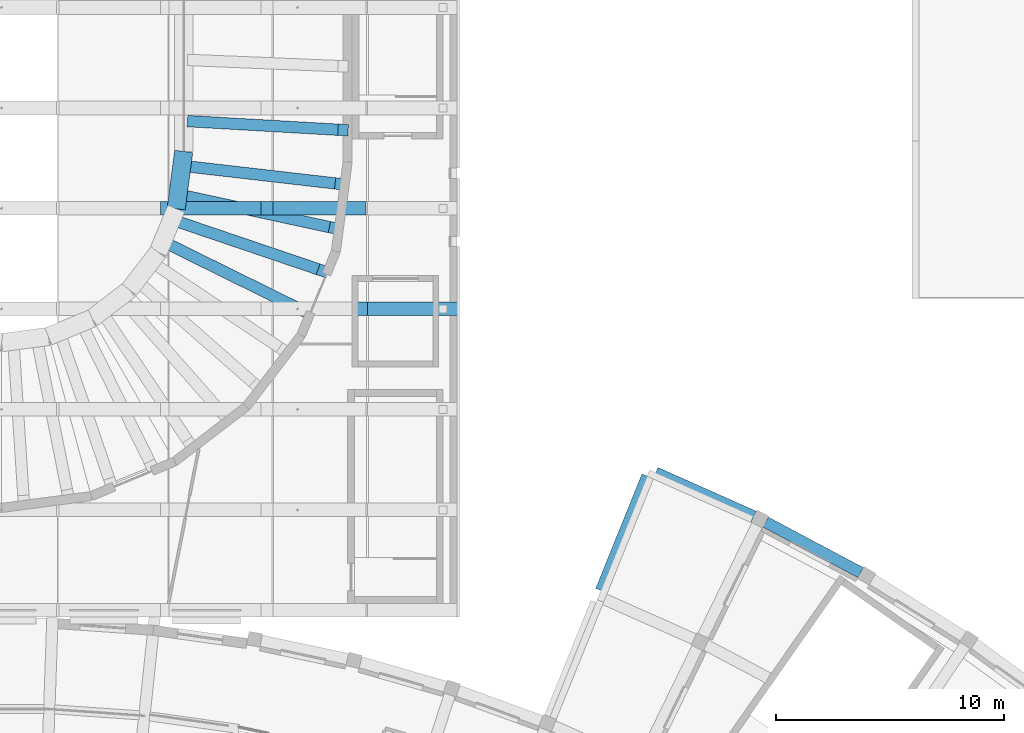
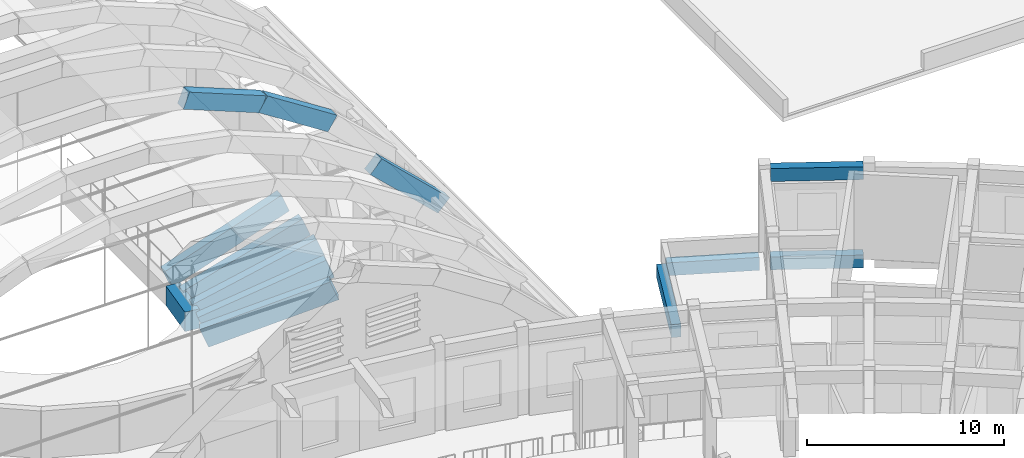
# One storey, part 40 of 94: 13 beams.
"""IFC4 building model written with IfcOpenShell, lengths in metres."""

from ifc_helpers import new_model, si_unit, direction, frame, origin, origin_2d, place, context, subcontext, project, spatial, rectangle, extrude, material, material_profile, profile_set, type_object, element, save


model = new_model("IFC4")

# Units and contexts
model_context = context("Model", 3, precision=1e-05, world=origin(), true_north=direction((0.0, 1.0)))
body_context = subcontext(model_context, "Body", "Model", "MODEL_VIEW")
ifc_project = project(units=[si_unit("LENGTHUNIT", "METRE"), si_unit("AREAUNIT", "SQUARE_METRE"), si_unit("VOLUMEUNIT", "CUBIC_METRE"), si_unit("PLANEANGLEUNIT", "RADIAN"), si_unit("MASSUNIT", "GRAM", prefix="KILO")], contexts=[model_context])

# Site, building, storey
site_placement = place(None, origin())
site = spatial("IfcSite", under=ifc_project, at=site_placement, CompositionType="ELEMENT")
building_placement = place(site_placement, origin())
building = spatial("IfcBuilding", under=site, at=building_placement, Name="Lunette Opera House", CompositionType="ELEMENT")
storey_placement = place(building_placement, frame((0.0, 0.0, 22.5)))
storey = spatial("IfcBuildingStorey", under=building, at=storey_placement, Name="L04", CompositionType="ELEMENT", Elevation=22.5)

# Beams
ifc_material_1 = material(Name="Concrete C40/50", Category="concrete")
ifc_material_profile_1 = material_profile(ifc_material_1, rectangle(XDim=0.60009765625, YDim=1.0, at=origin_2d()), Name="ARCH BEAM 600X1000")
ifc_profile_set_1 = profile_set([ifc_material_profile_1], Name="Concrete C40/50")
beam_type_1 = type_object("IfcBeamType", Name="ARCH BEAM 600X1000", PredefinedType="BEAM", material=ifc_profile_set_1)
beam_1_placement = place(storey_placement, frame((111.72998046875, 77.54296875, 5.931884765625), z_axis=(0.723596948656, 0.0, -0.69022275817), x_axis=(0.0, 1.0, 0.0)))
element("IfcBeam", 1, at=beam_1_placement, inside=storey, type_object=beam_type_1, Name="beam-AU-L04-EA4-9", PredefinedType="BEAM", context=body_context, shape_type="SweptSolid", body=[
    extrude(rectangle(XDim=0.60009765625, YDim=1.0, at=origin_2d()), origin(), (0.0, 0.0, 1.0), 5.486328125),
])
beam_2_placement = place(storey_placement, frame((103.1689453125, 81.95703125, 10.346923828125), z_axis=(0.92830257193, 0.0, -0.371825678172), x_axis=(0.0, 1.0, 0.0)))
element("IfcBeam", 2, at=beam_2_placement, inside=storey, type_object=beam_type_1, Name="beam-AU-L04-EA5-7", PredefinedType="BEAM", context=body_context, shape_type="SweptSolid", body=[
    extrude(rectangle(XDim=0.60009765625, YDim=1.0, at=origin_2d()), origin(), (0.0, 0.0, 1.0), 4.837890625),
])
beam_3_placement = place(storey_placement, frame((107.659912109375, 81.95703125, 8.548095703125), z_axis=(0.84120306647, 0.0, -0.54071933659), x_axis=(0.0, 1.0, 0.0)))
element("IfcBeam", 3, at=beam_3_placement, inside=storey, type_object=beam_type_1, Name="beam-AU-L04-EA5-8", PredefinedType="BEAM", context=body_context, shape_type="SweptSolid", body=[
    extrude(rectangle(XDim=0.60009765625, YDim=1.0, at=origin_2d()), origin(), (0.0, 0.0, 1.0), 4.83837890625),
])
ifc_material_2 = material(Name="Concrete C35/45", Category="concrete")
ifc_material_profile_2 = material_profile(ifc_material_2, rectangle(XDim=0.5, YDim=1.199951171875, at=origin_2d()), Name="RAKER BEAM 500X1200")
ifc_profile_set_2 = profile_set([ifc_material_profile_2], Name="Concrete C35/45")
beam_type_2 = type_object("IfcBeamType", Name="RAKER BEAM 500X1200", PredefinedType="BEAM", material=ifc_profile_set_2)
for number, where, z_axis, x_axis, name in (
    (4, (109.364990234375, 77.404052734375, -0.845947265625), (-0.832863737537, 0.411024107178, -0.370671253289), (-0.44254950299, -0.896744075756, 0.0), "beam-AU-L04-RKT3-12-1"),
    (5, (110.114013671875, 79.212890625, -0.845947265625), (-0.879541429095, 0.298348612243, -0.37066828847), (-0.32123143034, -0.947000722366, 0.0), "beam-AU-L04-RKT3-12-2"),
):
    element("IfcBeam", number, at=place(storey_placement, frame(where, z_axis=z_axis, x_axis=x_axis)), inside=storey, type_object=beam_type_2, Name=name, PredefinedType="BEAM", context=body_context, shape_type="SweptSolid", body=[
        extrude(rectangle(XDim=0.5, YDim=1.199951171875, at=origin_2d()), origin(), (0.0, 0.0, 1.0), 7.133056640625),
    ])
beam_4_placement = place(storey_placement, frame((110.616943359375, 81.087890625, -0.845947265625), z_axis=(-0.907922424273, 0.196469243629, -0.370238717331), x_axis=(-0.211499077451, -0.977378197136, 0.0)))
element("IfcBeam", 6, at=beam_4_placement, inside=storey, type_object=beam_type_2, Name="beam-AU-L04-RKT3-13-1", PredefinedType="BEAM", context=body_context, shape_type="SweptSolid", body=[
    extrude(rectangle(XDim=0.5, YDim=1.199951171875, at=origin_2d()), origin(), (0.0, 0.0, 1.0), 7.141357421875),
])
beam_5_placement = place(storey_placement, frame((110.8720703125, 83.029052734375, -0.845947265625), z_axis=(-0.922381193979, 0.106300669219, -0.371366531499), x_axis=(-0.114488133719, -0.99342461578, 0.0)))
element("IfcBeam", 7, at=beam_5_placement, inside=storey, type_object=beam_type_2, Name="beam-AU-L04-RKT3-13-2", PredefinedType="BEAM", context=body_context, shape_type="SweptSolid", body=[
    extrude(rectangle(XDim=0.5, YDim=1.199951171875, at=origin_2d()), origin(), (0.0, 0.0, 1.0), 7.119873046875),
])
beam_6_placement = place(storey_placement, frame((111.0, 85.39990234375, -0.845947265625), z_axis=(-0.927182002301, 0.053174550374, -0.370818017095), x_axis=(-0.057256630356, -0.998359493509, 0.0)))
element("IfcBeam", 8, at=beam_6_placement, inside=storey, type_object=beam_type_2, Name="beam-AU-L04-RKT3-14-1", PredefinedType="BEAM", context=body_context, shape_type="SweptSolid", body=[
    extrude(rectangle(XDim=0.5, YDim=1.199951171875, at=origin_2d()), origin(), (0.0, 0.0, 1.0), 7.13037109375),
])
ifc_material_3 = material(Name="Concrete C35/45", Category="concrete")
ifc_material_profile_3 = material_profile(ifc_material_3, rectangle(XDim=0.5, YDim=0.800048828125, at=origin_2d()), Name="RC BEAM 500X800")
ifc_profile_set_3 = profile_set([ifc_material_profile_3], Name="Concrete C35/45")
beam_type_3 = type_object("IfcBeamType", Name="RC BEAM 500X800", PredefinedType="BEAM", material=ifc_profile_set_3)
beam_7_placement = place(storey_placement, frame((122.3310546875, 65.172119140625, -0.6201171875), z_axis=(0.374580732086, 0.927194302803, 0.0), x_axis=(-0.927194302803, 0.374580732086, 0.0)))
element("IfcBeam", 9, at=beam_7_placement, inside=storey, type_object=beam_type_3, Name="beam-FC-L04-L04-RB-RL-19-4", PredefinedType="BEAM", context=body_context, shape_type="SweptSolid", body=[
    extrude(rectangle(XDim=0.5, YDim=0.800048828125, at=origin_2d()), origin(), (0.0, 0.0, 1.0), 5.41943359375),
])
beam_8_placement = place(storey_placement, frame((124.735107421875, 70.347900390625, -0.6201171875), z_axis=(0.91352150634, -0.40679043432, 0.0), x_axis=(0.40679043432, 0.91352150634, 0.0)))
element("IfcBeam", 10, at=beam_8_placement, inside=storey, type_object=beam_type_3, Name="beam-FC-L04-L04-RG-AR-C-RL-19", PredefinedType="BEAM", context=body_context, shape_type="SweptSolid", body=[
    extrude(rectangle(XDim=0.5, YDim=0.800048828125, at=origin_2d()), origin(), (0.0, 0.0, 1.0), 4.724365234375),
])
for number, where, z_axis, x_axis, name in (
    (11, (129.572021484375, 68.172119140625, -0.6201171875), (0.882965814701, -0.46943729088, 0.0), (0.46943729088, 0.882965814701, 0.0), "beam-FC-L04-L04-RG-AR-C-RL-20"),
    (12, (129.572021484375, 68.172119140625, 4.85009765625), (0.882965814701, -0.46943729088, 0.0), (0.46943729088, 0.882965814701, 0.0), "beam-FC-L04-RF-RG-AR-C-RL-20"),
):
    element("IfcBeam", number, at=place(storey_placement, frame(where, z_axis=z_axis, x_axis=x_axis)), inside=storey, type_object=beam_type_3, Name=name, PredefinedType="BEAM", context=body_context, shape_type="SweptSolid", body=[
        extrude(rectangle(XDim=0.5, YDim=0.800048828125, at=origin_2d()), origin(), (0.0, 0.0, 1.0), 4.724853515625),
    ])
ifc_material_4 = material(Name="Concrete C40/50", Category="concrete")
ifc_material_profile_4 = material_profile(ifc_material_4, rectangle(XDim=0.800048828125, YDim=1.199951171875, at=origin_2d()), Name="TIER GIRDER 800X1200")
ifc_profile_set_4 = profile_set([ifc_material_profile_4], Name="Concrete C40/50")
beam_type_4 = type_object("IfcBeamType", Name="TIER GIRDER 800X1200", PredefinedType="BEAM", material=ifc_profile_set_4)
beam_9_placement = place(storey_placement, frame((103.6689453125, 81.945068359375, -3.60009765625), z_axis=(0.130561610971, 0.991440197763, 0.0), x_axis=(-0.991440197763, 0.130561610971, 0.0)))
element("IfcBeam", 13, at=beam_9_placement, inside=storey, type_object=beam_type_4, Name="beam-AU-L04-TGL04-13", PredefinedType="BEAM", context=body_context, shape_type="SweptSolid", body=[
    extrude(rectangle(XDim=0.800048828125, YDim=1.199951171875, at=origin_2d()), origin(), (0.0, 0.0, 1.0), 2.53564453125),
])

save(model, "model.ifc")
